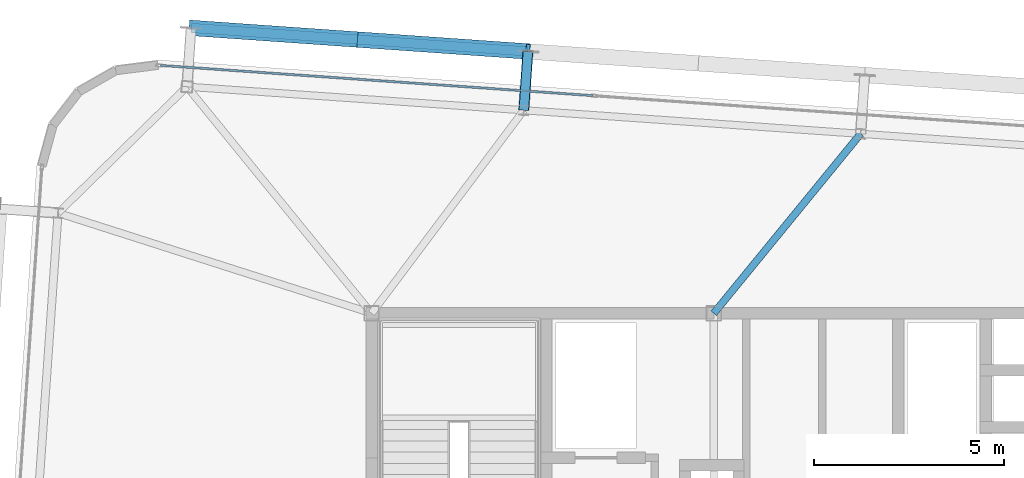
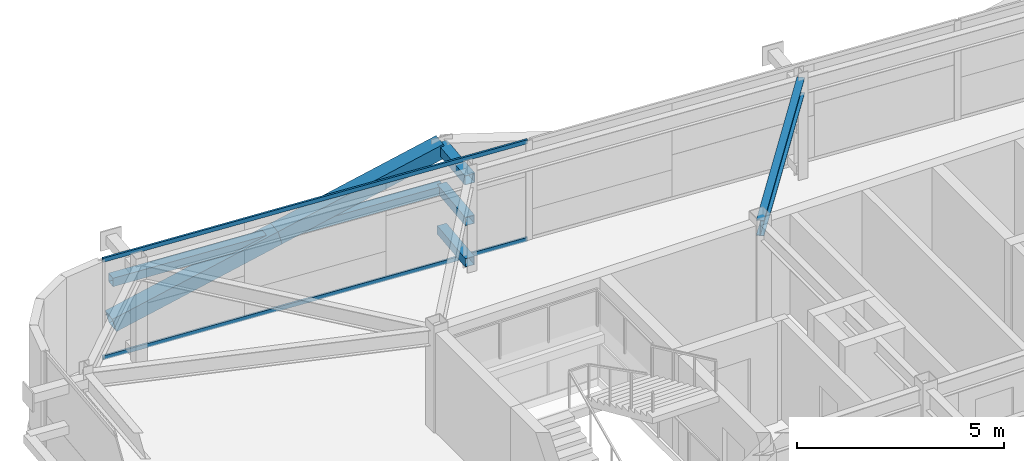
# One storey, part 20 of 39: 8 members, 1 beam, 1 element without a shape of its own.
"""IFC4 building model written with IfcOpenShell, lengths in metres."""

from ifc_helpers import new_model, si_unit, direction, frame, origin, origin_2d, place, context, subcontext, project, spatial, hollow_rectangle, i_section, extrude, source, transform, mapped, material, layer, layer_set, material_profile, profile_set, type_object, element, aggregate, save


model = new_model("IFC4")

# Units and contexts
model_context = context("Model", 3, precision=1e-05, world=origin(), true_north=direction((0.0, 1.0)))
body_context = subcontext(model_context, "Body", "Model", "MODEL_VIEW")
ifc_project = project(units=[si_unit("LENGTHUNIT", "METRE"), si_unit("AREAUNIT", "SQUARE_METRE"), si_unit("VOLUMEUNIT", "CUBIC_METRE"), si_unit("PLANEANGLEUNIT", "RADIAN"), si_unit("MASSUNIT", "GRAM", prefix="KILO")], contexts=[model_context])

# Site, building, storey
site_placement = place(None, origin())
site = spatial("IfcSite", under=ifc_project, at=site_placement, CompositionType="ELEMENT")
building_placement = place(site_placement, origin())
building = spatial("IfcBuilding", under=site, at=building_placement, Name="Taldren Reach Tower", CompositionType="ELEMENT")
storey_placement = place(building_placement, frame((0.0, 0.0, 133.0)))
storey = spatial("IfcBuildingStorey", under=building, at=storey_placement, Name="L40", CompositionType="ELEMENT", Elevation=133.0)

# Members
ifc_material_1 = material(Name="Steel Gr 450 (C450L0)", Category="steel")
ifc_material_profile_1 = material_profile(ifc_material_1, hollow_rectangle(XDim=0.27490234375, YDim=0.27490234375, WallThickness=0.00927734375, at=origin_2d()), Name="275x275x9.3SHS")
ifc_profile_set_1 = profile_set([ifc_material_profile_1], Name="Steel Gr 450 (C450L0)")
member_type_1 = type_object("IfcMemberType", Name="MB-TIE273", PredefinedType="STRUT", material=ifc_profile_set_1)
shared_shape_1 = source(origin(), body_context, "Body", "SweptSolid", [
    extrude(hollow_rectangle(XDim=0.27490234375, YDim=0.27490234375, WallThickness=0.00927734375, at=origin_2d()), origin(), (0.0, 0.0, 1.0), 1.5498046875),
])
member_1_placement = place(storey_placement, frame((23.0029296875, 37.33935546875, 2.64990234375), z_axis=(0.069780535098, 0.997562367434, 0.0), x_axis=(-0.997562367434, 0.069780535098, 0.0)))
element("IfcMember", 1, at=member_1_placement, inside=storey, type_object=member_type_1, Name="Exoskeleton diaphragm tie strut B3-N2 L40", PredefinedType="STRUT", context=body_context, shape_type="MappedRepresentation", body=[
    mapped(shared_shape_1, transform((0.0, 0.0, 0.0), scale=1.0)),
])
ifc_material_2 = material(Name="Steel Gr 350 (C350L0)", Category="steel")
ifc_material_profile_2 = material_profile(ifc_material_2, hollow_rectangle(XDim=0.25, YDim=0.25, WallThickness=0.010009765625, at=origin_2d()), Name="250x250x10.0SHS")
ifc_profile_set_2 = profile_set([ifc_material_profile_2], Name="Steel Gr 350 (C350L0)")
member_type_2 = type_object("IfcMemberType", Name="MB-POST250", PredefinedType="POST", material=ifc_profile_set_2)
shared_shape_2 = source(origin(), body_context, "Body", "SweptSolid", [
    extrude(hollow_rectangle(XDim=0.25, YDim=0.25, WallThickness=0.010009765625, at=origin_2d()), origin(), (0.0, 0.0, 1.0), 1.5498046875),
])
for number, where, z_axis, x_axis, name in (
    (2, (23.0029296875, 37.33935546875, 0.219970703125), (0.069780535098, 0.997562367434, 0.0), (-0.997562367434, 0.069780535098, 0.0), "Exoskeleton base diaphragm tie strut B3-N2 L40"),
    (3, (23.0029296875, 37.33935546875, 1.43505859375), (0.069780535098, 0.997562367434, 0.0), (-0.997562367434, 0.069780535098, 0.0), "Exoskeleton mid-tier diaphragm tie B3-N2 L40"),
):
    element("IfcMember", number, at=place(storey_placement, frame(where, z_axis=z_axis, x_axis=x_axis)), inside=storey, type_object=member_type_2, Name=name, PredefinedType="POST", context=body_context, shape_type="MappedRepresentation", body=[
        mapped(shared_shape_2, transform((0.0, 0.0, 0.0), scale=1.0)),
    ])

# Beam
ifc_material_3 = material(Name="Steel Gr 350 (350PLUS)", Category="steel")
ifc_material_profile_3 = material_profile(ifc_material_3, i_section(OverallWidth=0.19091796875, OverallDepth=0.4599609375, WebThickness=0.010009765625, FlangeThickness=0.01611328125, at=origin_2d()), Name="460UB82.1")
ifc_profile_set_3 = profile_set([ifc_material_profile_3], Name="Steel Gr 350 (350PLUS)")
beam_type = type_object("IfcBeamType", Name="BM-UB460A", PredefinedType="BEAM", material=ifc_profile_set_3)
shared_shape_3 = source(origin(), body_context, "Body", "SweptSolid", [
    extrude(i_section(OverallWidth=0.19091796875, OverallDepth=0.4599609375, WebThickness=0.010009765625, FlangeThickness=0.01611328125, at=origin_2d()), origin(), (0.0, 0.0, 1.0), 6.09814453125),
])
beam_placement = place(storey_placement, frame((28.0, 32.0, 2.699951171875), z_axis=(0.633192006663, 0.773994756247, 0.0), x_axis=(-0.773994756247, 0.633192006663, 0.0)))
element("IfcBeam", 4, at=beam_placement, inside=storey, type_object=beam_type, Name="Primary floor girder B3-N3 L40", PredefinedType="BEAM", context=body_context, shape_type="MappedRepresentation", body=[
    mapped(shared_shape_3, transform((0.0, 0.0, 0.0), scale=1.0)),
])

# Members
shared_shape_4 = source(origin(), body_context, "Body", "SweptSolid", [
    extrude(hollow_rectangle(XDim=0.25, YDim=0.25, WallThickness=0.010009765625, at=origin_2d()), origin(), (0.0, 0.0, 1.0), 8.880126953125),
])
member_2_placement = place(storey_placement, frame((14.252685546875, 39.5048828125, 1.43505859375), z_axis=(0.997564479639, -0.069750333063, 0.0), x_axis=(0.069750333063, 0.997564479639, 0.0)))
element("IfcMember", 5, at=member_2_placement, inside=storey, type_object=member_type_2, Name="Exoskeleton mid-height ring chord B3-N1 L40", PredefinedType="POST", context=body_context, shape_type="MappedRepresentation", body=[
    mapped(shared_shape_4, transform((0.0, 0.0, 0.0), scale=1.0)),
])
ifc_material_profile_4 = material_profile(ifc_material_1, hollow_rectangle(XDim=0.409912109375, YDim=0.409912109375, WallThickness=0.01611328125, at=origin_2d()), Name="410x410x16.0SHS")
ifc_profile_set_4 = profile_set([ifc_material_profile_4], Name="Steel Gr 450 (C450L0)")
member_type_3 = type_object("IfcMemberType", Name="MB-EXO406", PredefinedType="BRACE", material=ifc_profile_set_4)
shared_shape_5 = source(origin(), body_context, "Body", "SweptSolid", [
    extrude(hollow_rectangle(XDim=0.409912109375, YDim=0.409912109375, WallThickness=0.01611328125, at=origin_2d()), origin(), (0.0, 0.0, 1.0), 4.603271484375),
])
for number, where, z_axis, x_axis, name in (
    (6, (14.252685546875, 39.5048828125, 0.219970703125), (0.962185784239, -0.067250114343, 0.263962002434), (0.069722973508, 0.997566392259, 0.0), "Exoskeleton Diagrid Brace B3-N1 L40"),
    (7, (18.681884765625, 39.1953125, 1.43505859375), (0.962195820062, -0.067303852699, 0.263911718699), (0.06977769246, 0.997562566276, 0.0), "Exoskeleton Diagrid Brace B3-N1 L40"),
):
    element("IfcMember", number, at=place(storey_placement, frame(where, z_axis=z_axis, x_axis=x_axis)), inside=storey, type_object=member_type_3, Name=name, PredefinedType="BRACE", context=body_context, shape_type="MappedRepresentation", body=[
        mapped(shared_shape_5, transform((0.0, 0.0, 0.0), scale=1.0)),
    ])

# Curtain wall, members
ifc_material_4 = material(Name="Aluminium and Low-E Glass Unitised System", Category="aluminium")
ifc_layer = layer(ifc_material_4, 0.159912109375)
ifc_layer_set = layer_set([ifc_layer], Name="Aluminium and Low-E Glass Unitised System")
curtain_wall_type = type_object("IfcCurtainWallType", Name="CW-SYS-4", PredefinedType="NOTDEFINED", material=ifc_layer_set)
curtain_wall_placement = place(storey_placement, origin())
curtain_wall = element("IfcCurtainWall", 8, at=curtain_wall_placement, inside=storey, type_object=curtain_wall_type, Name="Unitised curtain wall CW-L40-N", PredefinedType="NOTDEFINED")
ifc_material_5 = material(Name="Anodised Aluminium 6063-T6", Category="aluminium")
ifc_material_profile_5 = material_profile(ifc_material_5, hollow_rectangle(XDim=0.054931640625, YDim=0.1201171875, WallThickness=0.0029296875, at=origin_2d()), Name="ALU-120x55x3RHS")
ifc_profile_set_5 = profile_set([ifc_material_profile_5], Name="Anodised Aluminium 6063-T6")
member_type_4 = type_object("IfcMemberType", Name="CW-TRN-135", PredefinedType="USERDEFINED", material=ifc_profile_set_5)
shared_shape_6 = source(origin(), body_context, "Body", "SweptSolid", [
    extrude(hollow_rectangle(XDim=0.054931640625, YDim=0.1201171875, WallThickness=0.0029296875, at=origin_2d()), origin(), (0.0, 0.0, 1.0), 11.39501953125),
])
member_3_placement = place(storey_placement, frame((24.819091796875, 37.7236328125, 0.027587890625), z_axis=(-0.997563740682, 0.069760900766, 0.0), x_axis=(-0.069760900766, -0.997563740682, 0.0)))
member_3 = element("IfcMember", 9, at=member_3_placement, type_object=member_type_4, Name="CW-4 transom 4.1", ObjectType="TRANSOM", PredefinedType="USERDEFINED", context=body_context, shape_type="MappedRepresentation", body=[
    mapped(shared_shape_6, transform((0.0, 0.0, 0.0), scale=1.0)),
])
member_4_placement = place(storey_placement, frame((24.819091796875, 37.7236328125, 2.902587890625), z_axis=(-0.997563740682, 0.069760900766, 0.0), x_axis=(-0.069760900766, -0.997563740682, 0.0)))
member_4 = element("IfcMember", 10, at=member_4_placement, type_object=member_type_4, Name="CW-4 transom 4.2", ObjectType="TRANSOM", PredefinedType="USERDEFINED", context=body_context, shape_type="MappedRepresentation", body=[
    mapped(shared_shape_6, transform((0.0, 0.0, 0.0), scale=1.0)),
])
aggregate(curtain_wall, [member_3, member_4])

save(model, "model.ifc")
